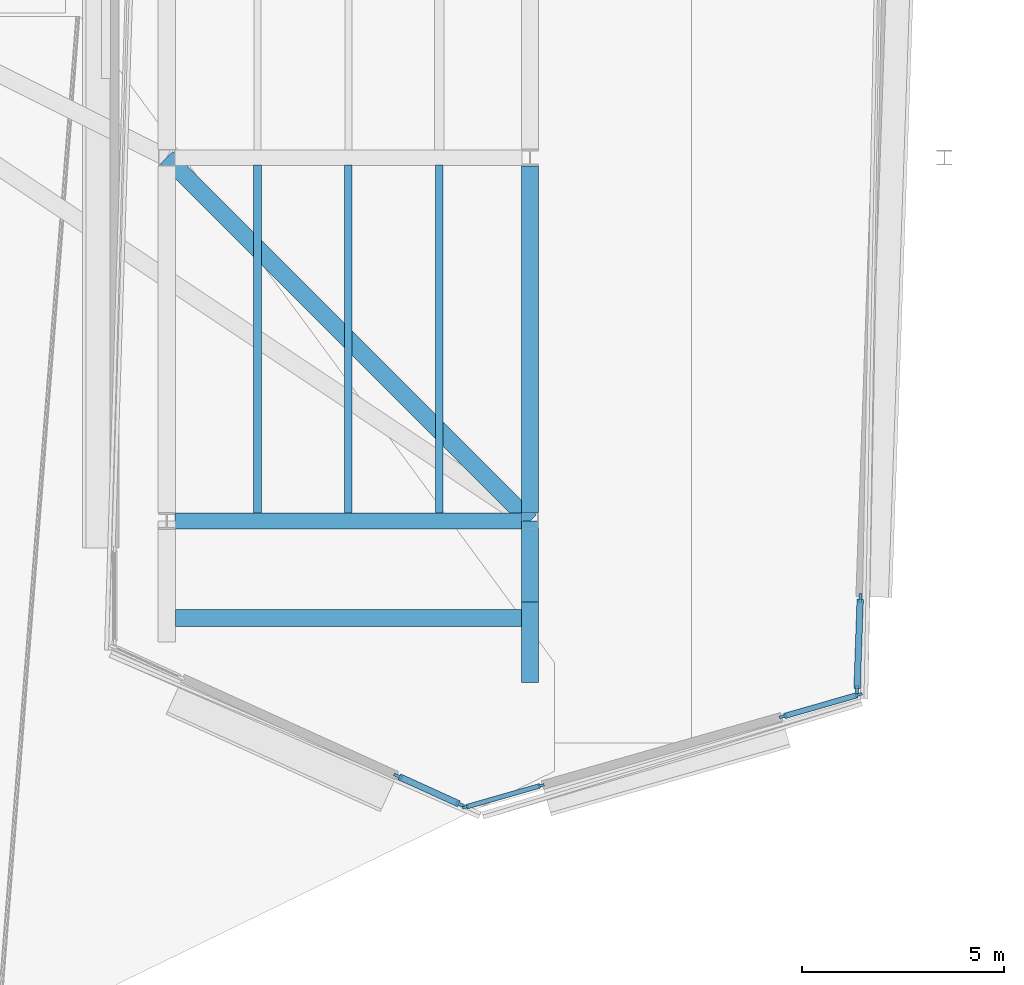
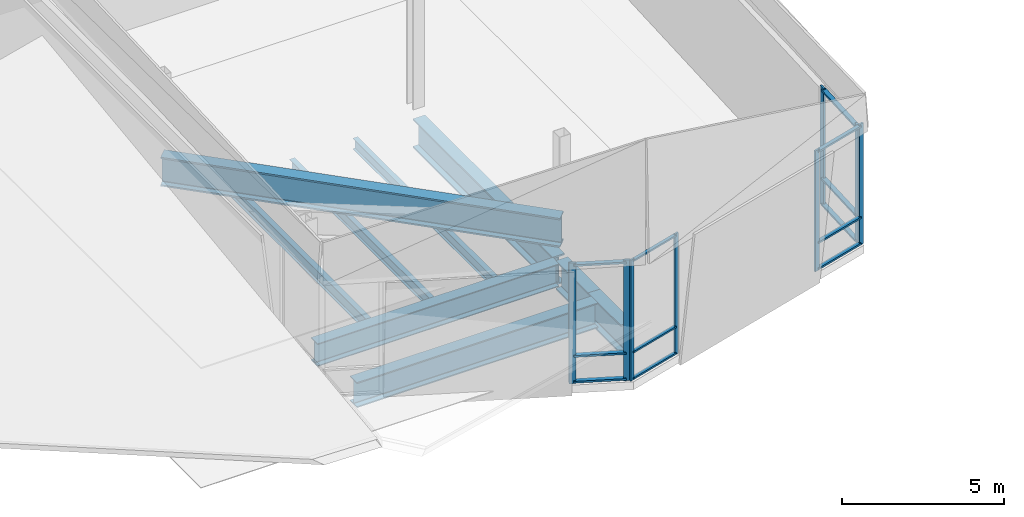
# One storey, part 9 of 41: 20 members, 9 beams, 4 elements without a shape of their own.
"""IFC4 building model written with IfcOpenShell, lengths in metres."""

from ifc_helpers import new_model, si_unit, direction, frame, origin, origin_2d, place, context, subcontext, project, spatial, rectangle, i_section, extrude, material, material_profile, profile_set, type_object, element, aggregate, save


model = new_model("IFC4")

# Units and contexts
model_context = context("Model", 3, precision=1e-05, world=origin(), true_north=direction((0.0, 1.0)))
body_context = subcontext(model_context, "Body", "Model", "MODEL_VIEW")
ifc_project = project(units=[si_unit("LENGTHUNIT", "METRE"), si_unit("AREAUNIT", "SQUARE_METRE"), si_unit("VOLUMEUNIT", "CUBIC_METRE"), si_unit("PLANEANGLEUNIT", "RADIAN"), si_unit("MASSUNIT", "GRAM", prefix="KILO")], contexts=[model_context])

# Site, building, storey
site_placement = place(None, origin())
site = spatial("IfcSite", under=ifc_project, at=site_placement, CompositionType="ELEMENT")
building_placement = place(site_placement, origin())
building = spatial("IfcBuilding", under=site, at=building_placement, Name="Trimount Lyric Opera House", CompositionType="ELEMENT")
storey_placement = place(building_placement, frame((0.0, 0.0, 20.0)))
storey = spatial("IfcBuildingStorey", under=building, at=storey_placement, Name="L04", CompositionType="ELEMENT", Elevation=20.0)

# Beams
ifc_material_1 = material(Name="Steel ASTM A992 Grade 50", Category="steel")
ifc_material_profile_1 = material_profile(ifc_material_1, i_section(OverallWidth=0.424072265625, OverallDepth=0.947021484375, WebThickness=0.02392578125, FlangeThickness=0.042724609375, FilletRadius=0.02392578125, at=origin_2d()), Name="W36X302")
ifc_profile_set_1 = profile_set([ifc_material_profile_1], Name="Steel ASTM A992 Grade 50")
beam_type_1 = type_object("IfcBeamType", Name="B-01", PredefinedType="BEAM", material=ifc_profile_set_1)
beam_1_placement = place(storey_placement, frame((45.21337890625, 23.60009765625, -0.7734375), z_axis=(1.0, 0.0, 0.0), x_axis=(0.0, 1.0, 0.0)))
element("IfcBeam", 1, at=beam_1_placement, inside=storey, type_object=beam_type_1, Name="L04 crystal transverse girder 45", PredefinedType="BEAM", context=body_context, shape_type="SweptSolid", body=[
    extrude(i_section(OverallWidth=0.424072265625, OverallDepth=0.947021484375, WebThickness=0.02392578125, FlangeThickness=0.042724609375, FilletRadius=0.02392578125, at=origin_2d()), origin(), (0.0, 0.0, 1.0), 8.5732421875),
])
ifc_material_2 = material(Name="Steel ASTM A992 Grade 50", Category="steel")
ifc_material_profile_2 = material_profile(ifc_material_2, i_section(OverallWidth=0.40087890625, OverallDepth=0.861083984375, WebThickness=0.019775390625, FlangeThickness=0.032470703125, FilletRadius=0.02001953125, at=origin_2d()), Name="W33X221")
ifc_profile_set_2 = profile_set([ifc_material_profile_2], Name="Steel ASTM A992 Grade 50")
beam_type_2 = type_object("IfcBeamType", Name="B-04", PredefinedType="BEAM", material=ifc_profile_set_2)
beam_2_placement = place(storey_placement, frame((45.202880859375, 26.0, -0.73046875), z_axis=(1.0, 0.0, 0.0), x_axis=(0.0, 1.0, 0.0)))
element("IfcBeam", 2, at=beam_2_placement, inside=storey, type_object=beam_type_2, Name="L04 girder X-1125", PredefinedType="BEAM", context=body_context, shape_type="SweptSolid", body=[
    extrude(i_section(OverallWidth=0.40087890625, OverallDepth=0.861083984375, WebThickness=0.019775390625, FlangeThickness=0.032470703125, FilletRadius=0.02001953125, at=origin_2d()), origin(), (0.0, 0.0, 1.0), 8.593994140625),
])
ifc_material_3 = material(Name="Steel ASTM A992 Grade 50", Category="steel")
ifc_material_profile_3 = material_profile(ifc_material_3, i_section(OverallWidth=0.427001953125, OverallDepth=1.092041015625, WebThickness=0.031005859375, FlangeThickness=0.055908203125, FilletRadius=0.02490234375, at=origin_2d()), Name="W40X397")
ifc_profile_set_3 = profile_set([ifc_material_profile_3], Name="Steel ASTM A992 Grade 50")
beam_type_3 = type_object("IfcBeamType", Name="B-17", PredefinedType="BEAM", material=ifc_profile_set_3)
beam_3_placement = place(storey_placement, frame((45.0, 35.0, 0.803955078125), z_axis=(0.707106781187, -0.707106781187, 0.0), x_axis=(0.707106781187, 0.707106781187, 0.0)))
element("IfcBeam", 3, at=beam_3_placement, inside=storey, type_object=beam_type_3, Name="CR-RAF-S2-2 crystal roof support girder", PredefinedType="BEAM", context=body_context, shape_type="SweptSolid", body=[
    extrude(i_section(OverallWidth=0.427001953125, OverallDepth=1.092041015625, WebThickness=0.031005859375, FlangeThickness=0.055908203125, FilletRadius=0.02490234375, at=origin_2d()), origin(), (0.0, 0.0, 1.0), 12.72802734375),
])
ifc_material_4 = material(Name="Steel ASTM A992 Grade 50", Category="steel")
ifc_material_profile_4 = material_profile(ifc_material_4, i_section(OverallWidth=0.19091796875, OverallDepth=0.45703125, WebThickness=0.009033203125, FlangeThickness=0.014404296875, FilletRadius=0.010986328125, at=origin_2d()), Name="W18X50")
ifc_profile_set_4 = profile_set([ifc_material_profile_4], Name="Steel ASTM A992 Grade 50")
beam_type_4 = type_object("IfcBeamType", Name="J-04", PredefinedType="BEAM", material=ifc_profile_set_4)
beam_4_placement = place(storey_placement, frame((47.25, 26.196533203125, -0.528564453125), z_axis=(0.0, 1.0, 0.0), x_axis=(-1.0, 0.0, 0.0)))
element("IfcBeam", 4, at=beam_4_placement, inside=storey, type_object=beam_type_4, Name="L04 composite floor joist 1153", PredefinedType="BEAM", context=body_context, shape_type="SweptSolid", body=[
    extrude(i_section(OverallWidth=0.19091796875, OverallDepth=0.45703125, WebThickness=0.009033203125, FlangeThickness=0.014404296875, FilletRadius=0.010986328125, at=origin_2d()), origin(), (0.0, 0.0, 1.0), 8.616455078125),
])
ifc_material_5 = material(Name="Steel ASTM A992 Grade 50", Category="steel")
ifc_material_profile_5 = material_profile(ifc_material_5, i_section(OverallWidth=0.180908203125, OverallDepth=0.4169921875, WebThickness=0.010986328125, FlangeThickness=0.018310546875, FilletRadius=0.010986328125, at=origin_2d()), Name="W16X57")
ifc_profile_set_5 = profile_set([ifc_material_profile_5], Name="Steel ASTM A992 Grade 50")
beam_type_5 = type_object("IfcBeamType", Name="J-05", PredefinedType="BEAM", material=ifc_profile_set_5)
beam_5_placement = place(storey_placement, frame((49.5, 26.196533203125, -0.508544921875), z_axis=(0.0, 1.0, 0.0), x_axis=(-1.0, 0.0, 0.0)))
element("IfcBeam", 5, at=beam_5_placement, inside=storey, type_object=beam_type_5, Name="L04 composite floor joist 1154", PredefinedType="BEAM", context=body_context, shape_type="SweptSolid", body=[
    extrude(i_section(OverallWidth=0.180908203125, OverallDepth=0.4169921875, WebThickness=0.010986328125, FlangeThickness=0.018310546875, FilletRadius=0.010986328125, at=origin_2d()), origin(), (0.0, 0.0, 1.0), 8.616455078125),
])
ifc_material_6 = material(Name="Steel ASTM A992 Grade 50", Category="steel")
ifc_material_profile_6 = material_profile(ifc_material_6, i_section(OverallWidth=0.177978515625, OverallDepth=0.404052734375, WebThickness=0.007568359375, FlangeThickness=0.010986328125, FilletRadius=0.010009765625, at=origin_2d()), Name="W16X36")
ifc_profile_set_6 = profile_set([ifc_material_profile_6], Name="Steel ASTM A992 Grade 50")
beam_type_6 = type_object("IfcBeamType", Name="J-06", PredefinedType="BEAM", material=ifc_profile_set_6)
beam_6_placement = place(storey_placement, frame((51.75, 26.196533203125, -0.501953125), z_axis=(0.0, 1.0, 0.0), x_axis=(-1.0, 0.0, 0.0)))
element("IfcBeam", 6, at=beam_6_placement, inside=storey, type_object=beam_type_6, Name="L04 composite floor joist 1155", PredefinedType="BEAM", context=body_context, shape_type="SweptSolid", body=[
    extrude(i_section(OverallWidth=0.177978515625, OverallDepth=0.404052734375, WebThickness=0.007568359375, FlangeThickness=0.010986328125, FilletRadius=0.010009765625, at=origin_2d()), origin(), (0.0, 0.0, 1.0), 8.616455078125),
])

# Curtain wall, members
ifc_material_7 = material(Name="Thermally Broken Aluminium and Low-E Glass", Category="aluminium")
curtain_wall_type = type_object("IfcCurtainWallType", Name="CW-02", PredefinedType="NOTDEFINED", material=ifc_material_7)
curtain_wall_1_placement = place(storey_placement, origin())
curtain_wall_1 = element("IfcCurtainWall", 7, at=curtain_wall_1_placement, inside=storey, type_object=curtain_wall_type, Name="L04 crystal fold glazed slit 303", PredefinedType="NOTDEFINED")
ifc_material_8 = material(Name="Anodised Aluminium 6063-T6", Category="aluminium")
ifc_material_profile_7 = material_profile(ifc_material_8, rectangle(XDim=0.070068359375, YDim=0.219970703125, at=origin_2d()), Name="ALU-MULL-70X220")
ifc_profile_set_7 = profile_set([ifc_material_profile_7], Name="Anodised Aluminium 6063-T6")
member_type_1 = type_object("IfcMemberType", Name="ML-01", PredefinedType="MULLION", material=ifc_profile_set_7)
member_1_placement = place(storey_placement, frame((52.270263671875, 18.9794921875, 0.0), z_axis=(0.0, 0.0, 1.0), x_axis=(-0.414230421157, -0.910172048674, 0.0)))
member_1 = element("IfcMember", 8, at=member_1_placement, type_object=member_type_1, Name="CW-02 mullion 1", PredefinedType="MULLION", context=body_context, shape_type="SweptSolid", body=[
    extrude(rectangle(XDim=0.070068359375, YDim=0.219970703125, at=origin_2d()), origin(), (0.0, 0.0, 1.0), 4.5400390625),
])
member_2_placement = place(storey_placement, frame((50.729736328125, 19.680419921875, 0.0), z_axis=(0.0, 0.0, 1.0), x_axis=(-0.414230421157, -0.910172048674, 0.0)))
member_2 = element("IfcMember", 9, at=member_2_placement, type_object=member_type_1, Name="CW-02 mullion 2", PredefinedType="MULLION", context=body_context, shape_type="SweptSolid", body=[
    extrude(rectangle(XDim=0.070068359375, YDim=0.219970703125, at=origin_2d()), origin(), (0.0, 0.0, 1.0), 4.5400390625),
])

curtain_wall_2_placement = place(storey_placement, origin())
curtain_wall_2 = element("IfcCurtainWall", 10, at=curtain_wall_2_placement, inside=storey, type_object=curtain_wall_type, Name="L04 crystal fold glazed slit 336", PredefinedType="NOTDEFINED")
member_3_placement = place(storey_placement, frame((62.177734375, 24.096923828125, 0.0), z_axis=(0.0, 0.0, 1.0), x_axis=(0.999378448265, -0.035252193454, 0.0)))
member_3 = element("IfcMember", 11, at=member_3_placement, type_object=member_type_1, Name="CW-02 mullion 1", PredefinedType="MULLION", context=body_context, shape_type="SweptSolid", body=[
    extrude(rectangle(XDim=0.070068359375, YDim=0.219970703125, at=origin_2d()), origin(), (0.0, 0.0, 1.0), 4.449951171875),
])
member_4_placement = place(storey_placement, frame((62.09716796875, 21.81396484375, 0.0), z_axis=(0.0, 0.0, 1.0), x_axis=(0.999378448265, -0.035252193454, 0.0)))
member_4 = element("IfcMember", 12, at=member_4_placement, type_object=member_type_1, Name="CW-02 mullion 2", PredefinedType="MULLION", context=body_context, shape_type="SweptSolid", body=[
    extrude(rectangle(XDim=0.070068359375, YDim=0.219970703125, at=origin_2d()), origin(), (0.0, 0.0, 1.0), 4.449951171875),
])

curtain_wall_3_placement = place(storey_placement, origin())
curtain_wall_3 = element("IfcCurtainWall", 13, at=curtain_wall_3_placement, inside=storey, type_object=curtain_wall_type, Name="L04 crystal fold glazed slit 301", PredefinedType="NOTDEFINED")
ifc_material_9 = material(Name="Anodised Aluminium 6063-T6", Category="aluminium")
ifc_material_profile_8 = material_profile(ifc_material_9, rectangle(XDim=0.06494140625, YDim=0.179931640625, at=origin_2d()), Name="ALU-MULL-65X180")
ifc_profile_set_8 = profile_set([ifc_material_profile_8], Name="Anodised Aluminium 6063-T6")
member_type_2 = type_object("IfcMemberType", Name="ML-02", PredefinedType="MULLION", material=ifc_profile_set_8)
member_5_placement = place(storey_placement, frame((62.138671875, 21.697021484375, 0.0), z_axis=(0.0, 0.0, 1.0), x_axis=(0.274983345514, -0.961448989645, 0.0)))
member_5 = element("IfcMember", 14, at=member_5_placement, type_object=member_type_2, Name="CW-02 mullion 1", PredefinedType="MULLION", context=body_context, shape_type="SweptSolid", body=[
    extrude(rectangle(XDim=0.06494140625, YDim=0.179931640625, at=origin_2d()), origin(), (0.0, 0.0, 1.0), 4.5400390625),
])
member_6_placement = place(storey_placement, frame((60.26416015625, 21.160888671875, 0.0), z_axis=(0.0, 0.0, 1.0), x_axis=(0.274983345514, -0.961448989645, 0.0)))
member_6 = element("IfcMember", 15, at=member_6_placement, type_object=member_type_2, Name="CW-02 mullion 2", PredefinedType="MULLION", context=body_context, shape_type="SweptSolid", body=[
    extrude(rectangle(XDim=0.06494140625, YDim=0.179931640625, at=origin_2d()), origin(), (0.0, 0.0, 1.0), 4.5400390625),
])

curtain_wall_4_placement = place(storey_placement, origin())
curtain_wall_4 = element("IfcCurtainWall", 16, at=curtain_wall_4_placement, inside=storey, type_object=curtain_wall_type, Name="L04 crystal fold glazed slit 302", PredefinedType="NOTDEFINED")
ifc_material_10 = material(Name="Anodised Aluminium 6063-T6", Category="aluminium")
ifc_material_profile_9 = material_profile(ifc_material_10, rectangle(XDim=0.06005859375, YDim=0.14990234375, at=origin_2d()), Name="ALU-MULL-60X150")
ifc_profile_set_9 = profile_set([ifc_material_profile_9], Name="Anodised Aluminium 6063-T6")
member_type_3 = type_object("IfcMemberType", Name="ML-03", PredefinedType="MULLION", material=ifc_profile_set_9)
member_7_placement = place(storey_placement, frame((54.278076171875, 19.45068359375, 0.0), z_axis=(0.0, 0.0, 1.0), x_axis=(0.27452442445, -0.961580126864, 0.0)))
member_7 = element("IfcMember", 17, at=member_7_placement, type_object=member_type_3, Name="CW-02 mullion 1", PredefinedType="MULLION", context=body_context, shape_type="SweptSolid", body=[
    extrude(rectangle(XDim=0.06005859375, YDim=0.14990234375, at=origin_2d()), origin(), (0.0, 0.0, 1.0), 4.5400390625),
])
member_8_placement = place(storey_placement, frame((52.39892578125, 18.914306640625, 0.0), z_axis=(0.0, 0.0, 1.0), x_axis=(0.27452442445, -0.961580126864, 0.0)))
member_8 = element("IfcMember", 18, at=member_8_placement, type_object=member_type_3, Name="CW-02 mullion 2", PredefinedType="MULLION", context=body_context, shape_type="SweptSolid", body=[
    extrude(rectangle(XDim=0.06005859375, YDim=0.14990234375, at=origin_2d()), origin(), (0.0, 0.0, 1.0), 4.5400390625),
])

# Beams
ifc_material_11 = material(Name="Steel ASTM A992 Grade 50", Category="steel")
ifc_material_profile_10 = material_profile(ifc_material_11, i_section(OverallWidth=0.427001953125, OverallDepth=1.092041015625, WebThickness=0.031005859375, FlangeThickness=0.055908203125, FilletRadius=0.02490234375, at=origin_2d()), Name="W40X397")
ifc_profile_set_10 = profile_set([ifc_material_profile_10], Name="Steel ASTM A992 Grade 50")
beam_type_7 = type_object("IfcBeamType", Name="TG-02", PredefinedType="USERDEFINED", material=ifc_profile_set_10)
beam_7_placement = place(storey_placement, frame((54.0, 26.203125, -0.845947265625), z_axis=(0.0, 1.0, 0.0), x_axis=(-1.0, 0.0, 0.0)))
element("IfcBeam", 19, at=beam_7_placement, inside=storey, type_object=beam_type_7, Name="L04 girder Y-1206", ObjectType="TRANSFER_GIRDER", PredefinedType="USERDEFINED", context=body_context, shape_type="SweptSolid", body=[
    extrude(i_section(OverallWidth=0.427001953125, OverallDepth=1.092041015625, WebThickness=0.031005859375, FlangeThickness=0.055908203125, FilletRadius=0.02490234375, at=origin_2d()), origin(), (0.0, 0.0, 1.0), 8.58837890625),
])
for number, where, z_axis, x_axis, name in (
    (20, (54.0, 24.0, -0.845947265625), (0.0, 1.0, 0.0), (-1.0, 0.0, 0.0), "L04 crystal truss 3 inner chord"),
    (21, (54.0, 22.0, -0.845947265625), (0.0, 1.0, 0.0), (-1.0, 0.0, 0.0), "L04 crystal truss 3 prow chord"),
):
    element("IfcBeam", number, at=place(storey_placement, frame(where, z_axis=z_axis, x_axis=x_axis)), inside=storey, type_object=beam_type_7, Name=name, ObjectType="TRANSFER_GIRDER", PredefinedType="USERDEFINED", context=body_context, shape_type="SweptSolid", body=[
        extrude(i_section(OverallWidth=0.427001953125, OverallDepth=1.092041015625, WebThickness=0.031005859375, FlangeThickness=0.055908203125, FilletRadius=0.02490234375, at=origin_2d()), origin(), (0.0, 0.0, 1.0), 2.0),
    ])

# Member
ifc_material_12 = material(Name="Anodised Aluminium 6063-T6", Category="aluminium")
ifc_material_profile_11 = material_profile(ifc_material_12, rectangle(XDim=0.159912109375, YDim=0.070068359375, at=origin_2d()), Name="ALU-TRAN-70X160")
ifc_profile_set_11 = profile_set([ifc_material_profile_11], Name="Anodised Aluminium 6063-T6")
member_type_4 = type_object("IfcMemberType", Name="TR-01", PredefinedType="USERDEFINED", material=ifc_profile_set_11)
member_9_placement = place(storey_placement, frame((52.23828125, 18.993896484375, 0.080078125), z_axis=(-0.910144739502, 0.414290421271, 0.0), x_axis=(-0.414290421271, -0.910144739502, 0.0)))
member_9 = element("IfcMember", 22, at=member_9_placement, type_object=member_type_4, Name="CW-02 transom 1.1", ObjectType="TRANSOM", PredefinedType="USERDEFINED", context=body_context, shape_type="SweptSolid", body=[
    extrude(rectangle(XDim=0.159912109375, YDim=0.070068359375, at=origin_2d()), origin(), (0.0, 0.0, 1.0), 1.622314453125),
])

member_10_placement = place(storey_placement, frame((52.23828125, 18.993896484375, 1.050048828125), z_axis=(-0.910144739502, 0.414290421271, 0.0), x_axis=(-0.414290421271, -0.910144739502, 0.0)))
member_10 = element("IfcMember", 23, at=member_10_placement, type_object=member_type_4, Name="CW-02 transom 1.2", ObjectType="TRANSOM", PredefinedType="USERDEFINED", context=body_context, shape_type="SweptSolid", body=[
    extrude(rectangle(XDim=0.159912109375, YDim=0.070068359375, at=origin_2d()), origin(), (0.0, 0.0, 1.0), 1.622314453125),
])

member_11_placement = place(storey_placement, frame((52.23828125, 18.993896484375, 4.4599609375), z_axis=(-0.910144739502, 0.414290421271, 0.0), x_axis=(-0.414290421271, -0.910144739502, 0.0)))
member_11 = element("IfcMember", 24, at=member_11_placement, type_object=member_type_4, Name="CW-02 transom 1.3", ObjectType="TRANSOM", PredefinedType="USERDEFINED", context=body_context, shape_type="SweptSolid", body=[
    extrude(rectangle(XDim=0.159912109375, YDim=0.070068359375, at=origin_2d()), origin(), (0.0, 0.0, 1.0), 1.622314453125),
])

aggregate(curtain_wall_1, [member_1, member_2, member_9, member_10, member_11])

member_12_placement = place(storey_placement, frame((62.176513671875, 24.06201171875, 0.080078125), z_axis=(-0.035278632641, -0.999377515296, 0.0), x_axis=(0.999377515296, -0.035278632641, 0.0)))
member_12 = element("IfcMember", 25, at=member_12_placement, type_object=member_type_4, Name="CW-02 transom 1.1", ObjectType="TRANSOM", PredefinedType="USERDEFINED", context=body_context, shape_type="SweptSolid", body=[
    extrude(rectangle(XDim=0.159912109375, YDim=0.070068359375, at=origin_2d()), origin(), (0.0, 0.0, 1.0), 2.214599609375),
])

member_13_placement = place(storey_placement, frame((62.176513671875, 24.06201171875, 1.050048828125), z_axis=(-0.035278632641, -0.999377515296, 0.0), x_axis=(0.999377515296, -0.035278632641, 0.0)))
member_13 = element("IfcMember", 26, at=member_13_placement, type_object=member_type_4, Name="CW-02 transom 1.2", ObjectType="TRANSOM", PredefinedType="USERDEFINED", context=body_context, shape_type="SweptSolid", body=[
    extrude(rectangle(XDim=0.159912109375, YDim=0.070068359375, at=origin_2d()), origin(), (0.0, 0.0, 1.0), 2.214599609375),
])

member_14_placement = place(storey_placement, frame((62.176513671875, 24.06201171875, 4.3701171875), z_axis=(-0.035278632641, -0.999377515296, 0.0), x_axis=(0.999377515296, -0.035278632641, 0.0)))
member_14 = element("IfcMember", 27, at=member_14_placement, type_object=member_type_4, Name="CW-02 transom 1.3", ObjectType="TRANSOM", PredefinedType="USERDEFINED", context=body_context, shape_type="SweptSolid", body=[
    extrude(rectangle(XDim=0.159912109375, YDim=0.070068359375, at=origin_2d()), origin(), (0.0, 0.0, 1.0), 2.214599609375),
])

aggregate(curtain_wall_2, [member_3, member_4, member_12, member_13, member_14])

ifc_material_13 = material(Name="Anodised Aluminium 6063-T6", Category="aluminium")
ifc_material_profile_12 = material_profile(ifc_material_13, rectangle(XDim=0.135009765625, YDim=0.06494140625, at=origin_2d()), Name="ALU-TRAN-65X135")
ifc_profile_set_12 = profile_set([ifc_material_profile_12], Name="Anodised Aluminium 6063-T6")
member_type_5 = type_object("IfcMemberType", Name="TR-02", PredefinedType="USERDEFINED", material=ifc_profile_set_12)
member_15_placement = place(storey_placement, frame((62.107421875, 21.688232421875, 0.0673828125), z_axis=(-0.961440802957, -0.275011967755, 0.0), x_axis=(0.275011967755, -0.961440802957, 0.0)))
member_15 = element("IfcMember", 28, at=member_15_placement, type_object=member_type_5, Name="CW-02 transom 1.1", ObjectType="TRANSOM", PredefinedType="USERDEFINED", context=body_context, shape_type="SweptSolid", body=[
    extrude(rectangle(XDim=0.135009765625, YDim=0.06494140625, at=origin_2d()), origin(), (0.0, 0.0, 1.0), 1.884765625),
])

member_16_placement = place(storey_placement, frame((62.107421875, 21.688232421875, 1.050048828125), z_axis=(-0.961440802957, -0.275011967755, 0.0), x_axis=(0.275011967755, -0.961440802957, 0.0)))
member_16 = element("IfcMember", 29, at=member_16_placement, type_object=member_type_5, Name="CW-02 transom 1.2", ObjectType="TRANSOM", PredefinedType="USERDEFINED", context=body_context, shape_type="SweptSolid", body=[
    extrude(rectangle(XDim=0.135009765625, YDim=0.06494140625, at=origin_2d()), origin(), (0.0, 0.0, 1.0), 1.884765625),
])

member_17_placement = place(storey_placement, frame((62.107421875, 21.688232421875, 4.472412109375), z_axis=(-0.961440802957, -0.275011967755, 0.0), x_axis=(0.275011967755, -0.961440802957, 0.0)))
member_17 = element("IfcMember", 30, at=member_17_placement, type_object=member_type_5, Name="CW-02 transom 1.3", ObjectType="TRANSOM", PredefinedType="USERDEFINED", context=body_context, shape_type="SweptSolid", body=[
    extrude(rectangle(XDim=0.135009765625, YDim=0.06494140625, at=origin_2d()), origin(), (0.0, 0.0, 1.0), 1.884765625),
])

aggregate(curtain_wall_3, [member_5, member_6, member_15, member_16, member_17])

ifc_material_14 = material(Name="Anodised Aluminium 6063-T6", Category="aluminium")
ifc_material_profile_13 = material_profile(ifc_material_14, rectangle(XDim=0.114990234375, YDim=0.06005859375, at=origin_2d()), Name="ALU-TRAN-60X115")
ifc_profile_set_13 = profile_set([ifc_material_profile_13], Name="Anodised Aluminium 6063-T6")
member_type_6 = type_object("IfcMemberType", Name="TR-03", PredefinedType="USERDEFINED", material=ifc_profile_set_13)
member_18_placement = place(storey_placement, frame((54.249267578125, 19.442626953125, 0.0576171875), z_axis=(-0.961548260213, -0.274636019637, 0.0), x_axis=(0.274636019637, -0.961548260213, 0.0)))
member_18 = element("IfcMember", 31, at=member_18_placement, type_object=member_type_6, Name="CW-02 transom 1.1", ObjectType="TRANSOM", PredefinedType="USERDEFINED", context=body_context, shape_type="SweptSolid", body=[
    extrude(rectangle(XDim=0.114990234375, YDim=0.06005859375, at=origin_2d()), origin(), (0.0, 0.0, 1.0), 1.894287109375),
])

member_19_placement = place(storey_placement, frame((54.249267578125, 19.442626953125, 1.050048828125), z_axis=(-0.961548260213, -0.274636019637, 0.0), x_axis=(0.274636019637, -0.961548260213, 0.0)))
member_19 = element("IfcMember", 32, at=member_19_placement, type_object=member_type_6, Name="CW-02 transom 1.2", ObjectType="TRANSOM", PredefinedType="USERDEFINED", context=body_context, shape_type="SweptSolid", body=[
    extrude(rectangle(XDim=0.114990234375, YDim=0.06005859375, at=origin_2d()), origin(), (0.0, 0.0, 1.0), 1.894287109375),
])

member_20_placement = place(storey_placement, frame((54.249267578125, 19.442626953125, 4.482421875), z_axis=(-0.961548260213, -0.274636019637, 0.0), x_axis=(0.274636019637, -0.961548260213, 0.0)))
member_20 = element("IfcMember", 33, at=member_20_placement, type_object=member_type_6, Name="CW-02 transom 1.3", ObjectType="TRANSOM", PredefinedType="USERDEFINED", context=body_context, shape_type="SweptSolid", body=[
    extrude(rectangle(XDim=0.114990234375, YDim=0.06005859375, at=origin_2d()), origin(), (0.0, 0.0, 1.0), 1.894287109375),
])

aggregate(curtain_wall_4, [member_7, member_8, member_18, member_19, member_20])

save(model, "model.ifc")
